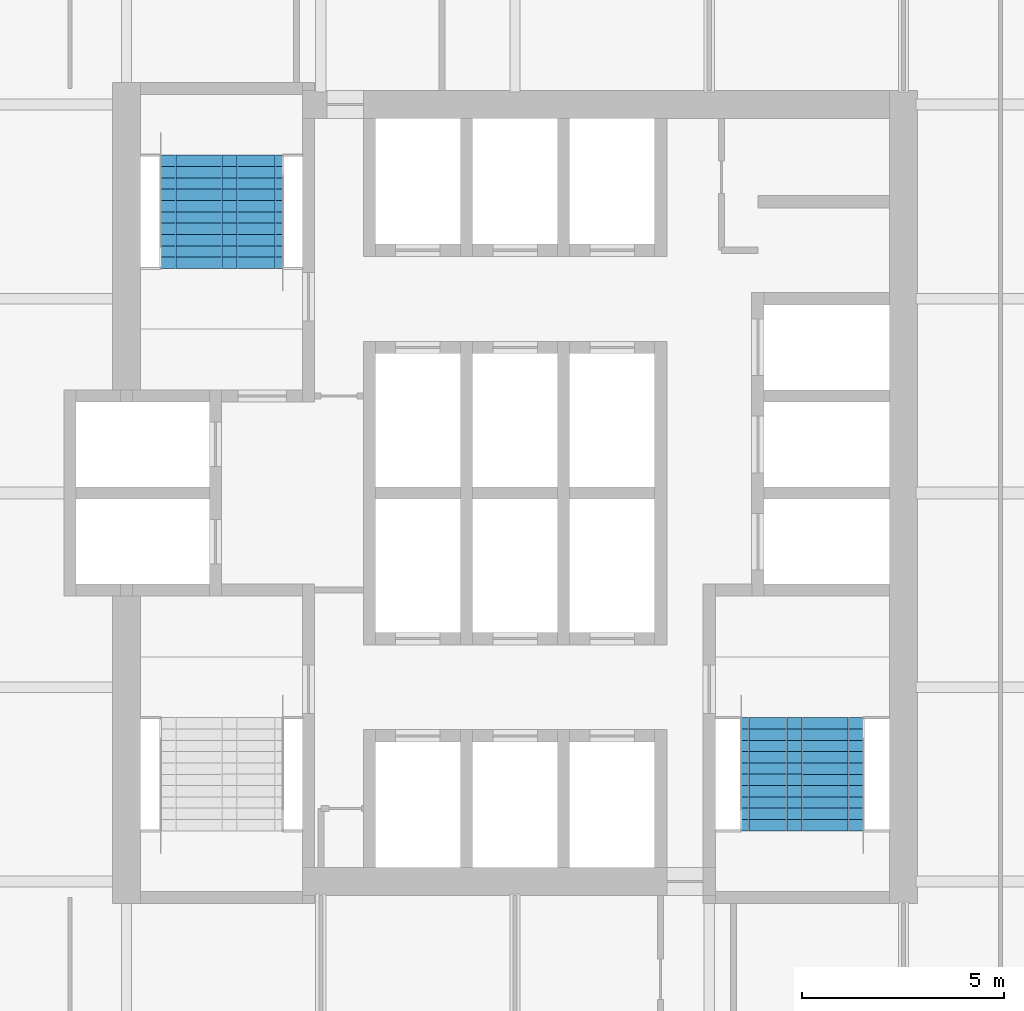
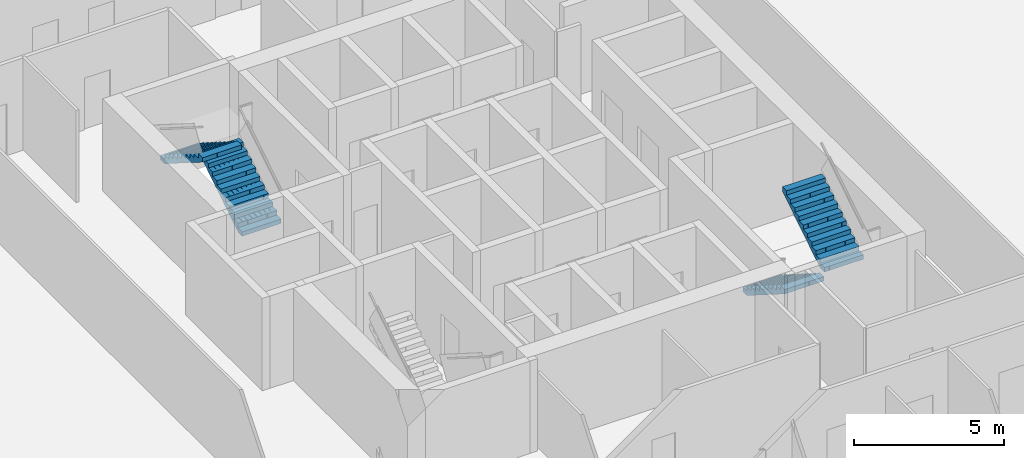
# One storey, part 13 of 15: 4 stair flights, 2 elements without a shape of their own.
"""IFC4 building model written with IfcOpenShell, lengths in metres."""

from ifc_helpers import new_model, si_unit, direction, frame, origin, place, context, subcontext, project, spatial, polyline, outline, extrude, material, type_object, element, aggregate, save


model = new_model("IFC4")

# Units and contexts
model_context = context("Model", 3, precision=1e-05, world=origin(), true_north=direction((0.0, 1.0)))
body_context = subcontext(model_context, "Body", "Model", "MODEL_VIEW")
ifc_project = project(units=[si_unit("LENGTHUNIT", "METRE"), si_unit("AREAUNIT", "SQUARE_METRE"), si_unit("VOLUMEUNIT", "CUBIC_METRE"), si_unit("PLANEANGLEUNIT", "RADIAN"), si_unit("MASSUNIT", "GRAM", prefix="KILO")], contexts=[model_context])

# Site, building, storey
site_placement = place(None, origin())
site = spatial("IfcSite", under=ifc_project, at=site_placement, CompositionType="ELEMENT")
building_placement = place(site_placement, origin())
building = spatial("IfcBuilding", under=site, at=building_placement, Name="Kolab Exchange Tower", CompositionType="ELEMENT")
storey_placement = place(building_placement, frame((0.0, 0.0, 173.89990234375)))
storey = spatial("IfcBuildingStorey", under=building, at=storey_placement, Name="L36", CompositionType="ELEMENT", Elevation=173.89990234375)

# Stair, stair flights
ifc_material = material(Name="Concrete C50/60", Category="concrete")
stair_type_1 = type_object("IfcStairType", Name="STAIR ST1 RISER 177.3", PredefinedType="HALF_TURN_STAIR", material=ifc_material)
stair_1_placement = place(storey_placement, origin())
stair_1 = element("IfcStair", 1, at=stair_1_placement, inside=storey, type_object=stair_type_1, Name="Stair 1", PredefinedType="HALF_TURN_STAIR")
stair_flight_type = type_object("IfcStairFlightType", Name="STAIR FLIGHT 1500 RISER 177.3", PredefinedType="STRAIGHT", material=ifc_material)
stair_flight_1_placement = place(storey_placement, frame((-6.489990234375, 5.550048828125, 0.0), z_axis=(0.0, 0.0, 1.0), x_axis=(0.0, 1.0, 0.0)))
stair_flight_1 = element("IfcStairFlight", 2, at=stair_flight_1_placement, type_object=stair_flight_type, Name="ST1 flight 1", NumberOfRisers=11, NumberOfTreads=10, PredefinedType="STRAIGHT", RiserHeight=0.177272727, TreadLength=0.28, context=body_context, shape_type="SweptSolid", body=[
    extrude(outline(polyline([(0.0, 0.0), (0.0, 0.17724609375), (0.280029296875, 0.17724609375), (0.280029296875, 0.3544921875), (0.56005859375, 0.3544921875), (0.56005859375, 0.53173828125), (0.840087890625, 0.53173828125), (0.840087890625, 0.708984375), (1.1201171875, 0.708984375), (1.1201171875, 0.886474609375), (1.39990234375, 0.886474609375), (1.39990234375, 1.063720703125), (1.679931640625, 1.063720703125), (1.679931640625, 1.240966796875), (1.9599609375, 1.240966796875), (1.9599609375, 1.418212890625), (2.239990234375, 1.418212890625), (2.239990234375, 1.595458984375), (2.52001953125, 1.595458984375), (2.52001953125, 1.772705078125), (2.800048828125, 1.772705078125), (2.800048828125, 1.949951171875), (2.800048828125, 1.59521484375), (0.2802734375, 0.0), (0.0, 0.0)])), frame((0.0, 0.75, 0.0), z_axis=(0.0, -1.0, 0.0), x_axis=(1.0, 0.0, 0.0)), (0.0, 0.0, 1.0), 0.185791015625),
    extrude(outline(polyline([(0.0, 0.0), (0.0, 0.17724609375), (0.280029296875, 0.17724609375), (0.280029296875, 0.3544921875), (0.56005859375, 0.3544921875), (0.56005859375, 0.53173828125), (0.840087890625, 0.53173828125), (0.840087890625, 0.708984375), (1.1201171875, 0.708984375), (1.1201171875, 0.886474609375), (1.39990234375, 0.886474609375), (1.39990234375, 1.063720703125), (1.679931640625, 1.063720703125), (1.679931640625, 1.240966796875), (1.9599609375, 1.240966796875), (1.9599609375, 1.418212890625), (2.239990234375, 1.418212890625), (2.239990234375, 1.595458984375), (2.52001953125, 1.595458984375), (2.52001953125, 1.772705078125), (2.800048828125, 1.772705078125), (2.800048828125, 1.949951171875), (2.800048828125, 1.59521484375), (0.2802734375, 0.0), (0.0, 0.0)])), frame((0.0, 0.562255859375, 0.0), z_axis=(0.0, -1.0, 0.0), x_axis=(1.0, 0.0, 0.0)), (0.0, 0.0, 1.0), 0.185791015625),
    extrude(outline(polyline([(0.0, 0.0), (0.0, 0.17724609375), (0.280029296875, 0.17724609375), (0.280029296875, 0.3544921875), (0.56005859375, 0.3544921875), (0.56005859375, 0.53173828125), (0.840087890625, 0.53173828125), (0.840087890625, 0.708984375), (1.1201171875, 0.708984375), (1.1201171875, 0.886474609375), (1.39990234375, 0.886474609375), (1.39990234375, 1.063720703125), (1.679931640625, 1.063720703125), (1.679931640625, 1.240966796875), (1.9599609375, 1.240966796875), (1.9599609375, 1.418212890625), (2.239990234375, 1.418212890625), (2.239990234375, 1.595458984375), (2.52001953125, 1.595458984375), (2.52001953125, 1.772705078125), (2.800048828125, 1.772705078125), (2.800048828125, 1.949951171875), (2.800048828125, 1.59521484375), (0.2802734375, 0.0), (0.0, 0.0)])), frame((0.0, 0.37451171875, 0.0), z_axis=(0.0, -1.0, 0.0), x_axis=(1.0, 0.0, 0.0)), (0.0, 0.0, 1.0), 0.185791015625),
    extrude(outline(polyline([(0.0, 0.0), (0.0, 0.17724609375), (0.280029296875, 0.17724609375), (0.280029296875, 0.3544921875), (0.56005859375, 0.3544921875), (0.56005859375, 0.53173828125), (0.840087890625, 0.53173828125), (0.840087890625, 0.708984375), (1.1201171875, 0.708984375), (1.1201171875, 0.886474609375), (1.39990234375, 0.886474609375), (1.39990234375, 1.063720703125), (1.679931640625, 1.063720703125), (1.679931640625, 1.240966796875), (1.9599609375, 1.240966796875), (1.9599609375, 1.418212890625), (2.239990234375, 1.418212890625), (2.239990234375, 1.595458984375), (2.52001953125, 1.595458984375), (2.52001953125, 1.772705078125), (2.800048828125, 1.772705078125), (2.800048828125, 1.949951171875), (2.800048828125, 1.59521484375), (0.2802734375, 0.0), (0.0, 0.0)])), frame((0.0, 0.186767578125, 0.0), z_axis=(0.0, -1.0, 0.0), x_axis=(1.0, 0.0, 0.0)), (0.0, 0.0, 1.0), 0.185791015625),
    extrude(outline(polyline([(0.0, 0.0), (0.0, 0.17724609375), (0.280029296875, 0.17724609375), (0.280029296875, 0.3544921875), (0.56005859375, 0.3544921875), (0.56005859375, 0.53173828125), (0.840087890625, 0.53173828125), (0.840087890625, 0.708984375), (1.1201171875, 0.708984375), (1.1201171875, 0.886474609375), (1.39990234375, 0.886474609375), (1.39990234375, 1.063720703125), (1.679931640625, 1.063720703125), (1.679931640625, 1.240966796875), (1.9599609375, 1.240966796875), (1.9599609375, 1.418212890625), (2.239990234375, 1.418212890625), (2.239990234375, 1.595458984375), (2.52001953125, 1.595458984375), (2.52001953125, 1.772705078125), (2.800048828125, 1.772705078125), (2.800048828125, 1.949951171875), (2.800048828125, 1.59521484375), (0.2802734375, 0.0), (0.0, 0.0)])), frame((0.0, -0.0009765625, 0.0), z_axis=(0.0, -1.0, 0.0), x_axis=(1.0, 0.0, 0.0)), (0.0, 0.0, 1.0), 0.185791015625),
    extrude(outline(polyline([(0.0, 0.0), (0.0, 0.17724609375), (0.280029296875, 0.17724609375), (0.280029296875, 0.3544921875), (0.56005859375, 0.3544921875), (0.56005859375, 0.53173828125), (0.840087890625, 0.53173828125), (0.840087890625, 0.708984375), (1.1201171875, 0.708984375), (1.1201171875, 0.886474609375), (1.39990234375, 0.886474609375), (1.39990234375, 1.063720703125), (1.679931640625, 1.063720703125), (1.679931640625, 1.240966796875), (1.9599609375, 1.240966796875), (1.9599609375, 1.418212890625), (2.239990234375, 1.418212890625), (2.239990234375, 1.595458984375), (2.52001953125, 1.595458984375), (2.52001953125, 1.772705078125), (2.800048828125, 1.772705078125), (2.800048828125, 1.949951171875), (2.800048828125, 1.59521484375), (0.2802734375, 0.0), (0.0, 0.0)])), frame((0.0, -0.188720703125, 0.0), z_axis=(0.0, -1.0, 0.0), x_axis=(1.0, 0.0, 0.0)), (0.0, 0.0, 1.0), 0.185791015625),
    extrude(outline(polyline([(0.0, 0.0), (0.0, 0.17724609375), (0.280029296875, 0.17724609375), (0.280029296875, 0.3544921875), (0.56005859375, 0.3544921875), (0.56005859375, 0.53173828125), (0.840087890625, 0.53173828125), (0.840087890625, 0.708984375), (1.1201171875, 0.708984375), (1.1201171875, 0.886474609375), (1.39990234375, 0.886474609375), (1.39990234375, 1.063720703125), (1.679931640625, 1.063720703125), (1.679931640625, 1.240966796875), (1.9599609375, 1.240966796875), (1.9599609375, 1.418212890625), (2.239990234375, 1.418212890625), (2.239990234375, 1.595458984375), (2.52001953125, 1.595458984375), (2.52001953125, 1.772705078125), (2.800048828125, 1.772705078125), (2.800048828125, 1.949951171875), (2.800048828125, 1.59521484375), (0.2802734375, 0.0), (0.0, 0.0)])), frame((0.0, -0.37646484375, 0.0), z_axis=(0.0, -1.0, 0.0), x_axis=(1.0, 0.0, 0.0)), (0.0, 0.0, 1.0), 0.185791015625),
    extrude(outline(polyline([(0.0, 0.0), (0.0, 0.17724609375), (0.280029296875, 0.17724609375), (0.280029296875, 0.3544921875), (0.56005859375, 0.3544921875), (0.56005859375, 0.53173828125), (0.840087890625, 0.53173828125), (0.840087890625, 0.708984375), (1.1201171875, 0.708984375), (1.1201171875, 0.886474609375), (1.39990234375, 0.886474609375), (1.39990234375, 1.063720703125), (1.679931640625, 1.063720703125), (1.679931640625, 1.240966796875), (1.9599609375, 1.240966796875), (1.9599609375, 1.418212890625), (2.239990234375, 1.418212890625), (2.239990234375, 1.595458984375), (2.52001953125, 1.595458984375), (2.52001953125, 1.772705078125), (2.800048828125, 1.772705078125), (2.800048828125, 1.949951171875), (2.800048828125, 1.59521484375), (0.2802734375, 0.0), (0.0, 0.0)])), frame((0.0, -0.564208984375, 0.0), z_axis=(0.0, -1.0, 0.0), x_axis=(1.0, 0.0, 0.0)), (0.0, 0.0, 1.0), 0.185791015625),
])
stair_flight_2_placement = place(storey_placement, frame((-8.010009765625, 8.35009765625, 1.9501953125), z_axis=(0.0, 0.0, 1.0), x_axis=(0.0, -1.0, 0.0)))
stair_flight_2 = element("IfcStairFlight", 3, at=stair_flight_2_placement, type_object=stair_flight_type, Name="ST1 flight 2", NumberOfRisers=11, NumberOfTreads=10, PredefinedType="STRAIGHT", RiserHeight=0.177272727, TreadLength=0.28, context=body_context, shape_type="SweptSolid", body=[
    extrude(outline(polyline([(0.0, 0.0), (0.0, 0.17724609375), (0.280029296875, 0.17724609375), (0.280029296875, 0.3544921875), (0.56005859375, 0.3544921875), (0.56005859375, 0.53173828125), (0.840087890625, 0.53173828125), (0.840087890625, 0.708984375), (1.1201171875, 0.708984375), (1.1201171875, 0.886474609375), (1.39990234375, 0.886474609375), (1.39990234375, 1.063720703125), (1.679931640625, 1.063720703125), (1.679931640625, 1.240966796875), (1.9599609375, 1.240966796875), (1.9599609375, 1.418212890625), (2.239990234375, 1.418212890625), (2.239990234375, 1.595458984375), (2.52001953125, 1.595458984375), (2.52001953125, 1.772705078125), (2.800048828125, 1.772705078125), (2.800048828125, 1.949951171875), (2.800048828125, 1.59521484375), (0.2802734375, 0.0), (0.0, 0.0)])), frame((0.0, 0.75, 0.0), z_axis=(0.0, -1.0, 0.0), x_axis=(1.0, 0.0, 0.0)), (0.0, 0.0, 1.0), 0.185791015625),
    extrude(outline(polyline([(0.0, 0.0), (0.0, 0.17724609375), (0.280029296875, 0.17724609375), (0.280029296875, 0.3544921875), (0.56005859375, 0.3544921875), (0.56005859375, 0.53173828125), (0.840087890625, 0.53173828125), (0.840087890625, 0.708984375), (1.1201171875, 0.708984375), (1.1201171875, 0.886474609375), (1.39990234375, 0.886474609375), (1.39990234375, 1.063720703125), (1.679931640625, 1.063720703125), (1.679931640625, 1.240966796875), (1.9599609375, 1.240966796875), (1.9599609375, 1.418212890625), (2.239990234375, 1.418212890625), (2.239990234375, 1.595458984375), (2.52001953125, 1.595458984375), (2.52001953125, 1.772705078125), (2.800048828125, 1.772705078125), (2.800048828125, 1.949951171875), (2.800048828125, 1.59521484375), (0.2802734375, 0.0), (0.0, 0.0)])), frame((0.0, 0.562255859375, 0.0), z_axis=(0.0, -1.0, 0.0), x_axis=(1.0, 0.0, 0.0)), (0.0, 0.0, 1.0), 0.185791015625),
    extrude(outline(polyline([(0.0, 0.0), (0.0, 0.17724609375), (0.280029296875, 0.17724609375), (0.280029296875, 0.3544921875), (0.56005859375, 0.3544921875), (0.56005859375, 0.53173828125), (0.840087890625, 0.53173828125), (0.840087890625, 0.708984375), (1.1201171875, 0.708984375), (1.1201171875, 0.886474609375), (1.39990234375, 0.886474609375), (1.39990234375, 1.063720703125), (1.679931640625, 1.063720703125), (1.679931640625, 1.240966796875), (1.9599609375, 1.240966796875), (1.9599609375, 1.418212890625), (2.239990234375, 1.418212890625), (2.239990234375, 1.595458984375), (2.52001953125, 1.595458984375), (2.52001953125, 1.772705078125), (2.800048828125, 1.772705078125), (2.800048828125, 1.949951171875), (2.800048828125, 1.59521484375), (0.2802734375, 0.0), (0.0, 0.0)])), frame((0.0, 0.37451171875, 0.0), z_axis=(0.0, -1.0, 0.0), x_axis=(1.0, 0.0, 0.0)), (0.0, 0.0, 1.0), 0.185791015625),
    extrude(outline(polyline([(0.0, 0.0), (0.0, 0.17724609375), (0.280029296875, 0.17724609375), (0.280029296875, 0.3544921875), (0.56005859375, 0.3544921875), (0.56005859375, 0.53173828125), (0.840087890625, 0.53173828125), (0.840087890625, 0.708984375), (1.1201171875, 0.708984375), (1.1201171875, 0.886474609375), (1.39990234375, 0.886474609375), (1.39990234375, 1.063720703125), (1.679931640625, 1.063720703125), (1.679931640625, 1.240966796875), (1.9599609375, 1.240966796875), (1.9599609375, 1.418212890625), (2.239990234375, 1.418212890625), (2.239990234375, 1.595458984375), (2.52001953125, 1.595458984375), (2.52001953125, 1.772705078125), (2.800048828125, 1.772705078125), (2.800048828125, 1.949951171875), (2.800048828125, 1.59521484375), (0.2802734375, 0.0), (0.0, 0.0)])), frame((0.0, 0.186767578125, 0.0), z_axis=(0.0, -1.0, 0.0), x_axis=(1.0, 0.0, 0.0)), (0.0, 0.0, 1.0), 0.185791015625),
    extrude(outline(polyline([(0.0, 0.0), (0.0, 0.17724609375), (0.280029296875, 0.17724609375), (0.280029296875, 0.3544921875), (0.56005859375, 0.3544921875), (0.56005859375, 0.53173828125), (0.840087890625, 0.53173828125), (0.840087890625, 0.708984375), (1.1201171875, 0.708984375), (1.1201171875, 0.886474609375), (1.39990234375, 0.886474609375), (1.39990234375, 1.063720703125), (1.679931640625, 1.063720703125), (1.679931640625, 1.240966796875), (1.9599609375, 1.240966796875), (1.9599609375, 1.418212890625), (2.239990234375, 1.418212890625), (2.239990234375, 1.595458984375), (2.52001953125, 1.595458984375), (2.52001953125, 1.772705078125), (2.800048828125, 1.772705078125), (2.800048828125, 1.949951171875), (2.800048828125, 1.59521484375), (0.2802734375, 0.0), (0.0, 0.0)])), frame((0.0, -0.0009765625, 0.0), z_axis=(0.0, -1.0, 0.0), x_axis=(1.0, 0.0, 0.0)), (0.0, 0.0, 1.0), 0.185791015625),
    extrude(outline(polyline([(0.0, 0.0), (0.0, 0.17724609375), (0.280029296875, 0.17724609375), (0.280029296875, 0.3544921875), (0.56005859375, 0.3544921875), (0.56005859375, 0.53173828125), (0.840087890625, 0.53173828125), (0.840087890625, 0.708984375), (1.1201171875, 0.708984375), (1.1201171875, 0.886474609375), (1.39990234375, 0.886474609375), (1.39990234375, 1.063720703125), (1.679931640625, 1.063720703125), (1.679931640625, 1.240966796875), (1.9599609375, 1.240966796875), (1.9599609375, 1.418212890625), (2.239990234375, 1.418212890625), (2.239990234375, 1.595458984375), (2.52001953125, 1.595458984375), (2.52001953125, 1.772705078125), (2.800048828125, 1.772705078125), (2.800048828125, 1.949951171875), (2.800048828125, 1.59521484375), (0.2802734375, 0.0), (0.0, 0.0)])), frame((0.0, -0.188720703125, 0.0), z_axis=(0.0, -1.0, 0.0), x_axis=(1.0, 0.0, 0.0)), (0.0, 0.0, 1.0), 0.185791015625),
    extrude(outline(polyline([(0.0, 0.0), (0.0, 0.17724609375), (0.280029296875, 0.17724609375), (0.280029296875, 0.3544921875), (0.56005859375, 0.3544921875), (0.56005859375, 0.53173828125), (0.840087890625, 0.53173828125), (0.840087890625, 0.708984375), (1.1201171875, 0.708984375), (1.1201171875, 0.886474609375), (1.39990234375, 0.886474609375), (1.39990234375, 1.063720703125), (1.679931640625, 1.063720703125), (1.679931640625, 1.240966796875), (1.9599609375, 1.240966796875), (1.9599609375, 1.418212890625), (2.239990234375, 1.418212890625), (2.239990234375, 1.595458984375), (2.52001953125, 1.595458984375), (2.52001953125, 1.772705078125), (2.800048828125, 1.772705078125), (2.800048828125, 1.949951171875), (2.800048828125, 1.59521484375), (0.2802734375, 0.0), (0.0, 0.0)])), frame((0.0, -0.37646484375, 0.0), z_axis=(0.0, -1.0, 0.0), x_axis=(1.0, 0.0, 0.0)), (0.0, 0.0, 1.0), 0.185791015625),
    extrude(outline(polyline([(0.0, 0.0), (0.0, 0.17724609375), (0.280029296875, 0.17724609375), (0.280029296875, 0.3544921875), (0.56005859375, 0.3544921875), (0.56005859375, 0.53173828125), (0.840087890625, 0.53173828125), (0.840087890625, 0.708984375), (1.1201171875, 0.708984375), (1.1201171875, 0.886474609375), (1.39990234375, 0.886474609375), (1.39990234375, 1.063720703125), (1.679931640625, 1.063720703125), (1.679931640625, 1.240966796875), (1.9599609375, 1.240966796875), (1.9599609375, 1.418212890625), (2.239990234375, 1.418212890625), (2.239990234375, 1.595458984375), (2.52001953125, 1.595458984375), (2.52001953125, 1.772705078125), (2.800048828125, 1.772705078125), (2.800048828125, 1.949951171875), (2.800048828125, 1.59521484375), (0.2802734375, 0.0), (0.0, 0.0)])), frame((0.0, -0.564208984375, 0.0), z_axis=(0.0, -1.0, 0.0), x_axis=(1.0, 0.0, 0.0)), (0.0, 0.0, 1.0), 0.185791015625),
])
aggregate(stair_1, [stair_flight_1, stair_flight_2])

stair_type_2 = type_object("IfcStairType", Name="STAIR ST2 RISER 177.3", PredefinedType="HALF_TURN_STAIR", material=ifc_material)
stair_2_placement = place(storey_placement, origin())
stair_2 = element("IfcStair", 4, at=stair_2_placement, inside=storey, type_object=stair_type_2, Name="Stair 2", PredefinedType="HALF_TURN_STAIR")
stair_flight_3_placement = place(storey_placement, frame((6.340087890625, -5.550048828125, 0.0), z_axis=(0.0, 0.0, 1.0), x_axis=(0.0, -1.0, 0.0)))
stair_flight_3 = element("IfcStairFlight", 5, at=stair_flight_3_placement, type_object=stair_flight_type, Name="ST2 flight 1", NumberOfRisers=11, NumberOfTreads=10, PredefinedType="STRAIGHT", RiserHeight=0.177272727, TreadLength=0.28, context=body_context, shape_type="SweptSolid", body=[
    extrude(outline(polyline([(0.0, 0.0), (0.0, 0.17724609375), (0.280029296875, 0.17724609375), (0.280029296875, 0.3544921875), (0.56005859375, 0.3544921875), (0.56005859375, 0.53173828125), (0.840087890625, 0.53173828125), (0.840087890625, 0.708984375), (1.1201171875, 0.708984375), (1.1201171875, 0.886474609375), (1.39990234375, 0.886474609375), (1.39990234375, 1.063720703125), (1.679931640625, 1.063720703125), (1.679931640625, 1.240966796875), (1.9599609375, 1.240966796875), (1.9599609375, 1.418212890625), (2.239990234375, 1.418212890625), (2.239990234375, 1.595458984375), (2.52001953125, 1.595458984375), (2.52001953125, 1.772705078125), (2.800048828125, 1.772705078125), (2.800048828125, 1.949951171875), (2.800048828125, 1.59521484375), (0.2802734375, 0.0), (0.0, 0.0)])), frame((0.0, 0.75, 0.0), z_axis=(0.0, -1.0, 0.0), x_axis=(1.0, 0.0, 0.0)), (0.0, 0.0, 1.0), 0.185791015625),
    extrude(outline(polyline([(0.0, 0.0), (0.0, 0.17724609375), (0.280029296875, 0.17724609375), (0.280029296875, 0.3544921875), (0.56005859375, 0.3544921875), (0.56005859375, 0.53173828125), (0.840087890625, 0.53173828125), (0.840087890625, 0.708984375), (1.1201171875, 0.708984375), (1.1201171875, 0.886474609375), (1.39990234375, 0.886474609375), (1.39990234375, 1.063720703125), (1.679931640625, 1.063720703125), (1.679931640625, 1.240966796875), (1.9599609375, 1.240966796875), (1.9599609375, 1.418212890625), (2.239990234375, 1.418212890625), (2.239990234375, 1.595458984375), (2.52001953125, 1.595458984375), (2.52001953125, 1.772705078125), (2.800048828125, 1.772705078125), (2.800048828125, 1.949951171875), (2.800048828125, 1.59521484375), (0.2802734375, 0.0), (0.0, 0.0)])), frame((0.0, 0.562255859375, 0.0), z_axis=(0.0, -1.0, 0.0), x_axis=(1.0, 0.0, 0.0)), (0.0, 0.0, 1.0), 0.185791015625),
    extrude(outline(polyline([(0.0, 0.0), (0.0, 0.17724609375), (0.280029296875, 0.17724609375), (0.280029296875, 0.3544921875), (0.56005859375, 0.3544921875), (0.56005859375, 0.53173828125), (0.840087890625, 0.53173828125), (0.840087890625, 0.708984375), (1.1201171875, 0.708984375), (1.1201171875, 0.886474609375), (1.39990234375, 0.886474609375), (1.39990234375, 1.063720703125), (1.679931640625, 1.063720703125), (1.679931640625, 1.240966796875), (1.9599609375, 1.240966796875), (1.9599609375, 1.418212890625), (2.239990234375, 1.418212890625), (2.239990234375, 1.595458984375), (2.52001953125, 1.595458984375), (2.52001953125, 1.772705078125), (2.800048828125, 1.772705078125), (2.800048828125, 1.949951171875), (2.800048828125, 1.59521484375), (0.2802734375, 0.0), (0.0, 0.0)])), frame((0.0, 0.37451171875, 0.0), z_axis=(0.0, -1.0, 0.0), x_axis=(1.0, 0.0, 0.0)), (0.0, 0.0, 1.0), 0.185791015625),
    extrude(outline(polyline([(0.0, 0.0), (0.0, 0.17724609375), (0.280029296875, 0.17724609375), (0.280029296875, 0.3544921875), (0.56005859375, 0.3544921875), (0.56005859375, 0.53173828125), (0.840087890625, 0.53173828125), (0.840087890625, 0.708984375), (1.1201171875, 0.708984375), (1.1201171875, 0.886474609375), (1.39990234375, 0.886474609375), (1.39990234375, 1.063720703125), (1.679931640625, 1.063720703125), (1.679931640625, 1.240966796875), (1.9599609375, 1.240966796875), (1.9599609375, 1.418212890625), (2.239990234375, 1.418212890625), (2.239990234375, 1.595458984375), (2.52001953125, 1.595458984375), (2.52001953125, 1.772705078125), (2.800048828125, 1.772705078125), (2.800048828125, 1.949951171875), (2.800048828125, 1.59521484375), (0.2802734375, 0.0), (0.0, 0.0)])), frame((0.0, 0.186767578125, 0.0), z_axis=(0.0, -1.0, 0.0), x_axis=(1.0, 0.0, 0.0)), (0.0, 0.0, 1.0), 0.185791015625),
    extrude(outline(polyline([(0.0, 0.0), (0.0, 0.17724609375), (0.280029296875, 0.17724609375), (0.280029296875, 0.3544921875), (0.56005859375, 0.3544921875), (0.56005859375, 0.53173828125), (0.840087890625, 0.53173828125), (0.840087890625, 0.708984375), (1.1201171875, 0.708984375), (1.1201171875, 0.886474609375), (1.39990234375, 0.886474609375), (1.39990234375, 1.063720703125), (1.679931640625, 1.063720703125), (1.679931640625, 1.240966796875), (1.9599609375, 1.240966796875), (1.9599609375, 1.418212890625), (2.239990234375, 1.418212890625), (2.239990234375, 1.595458984375), (2.52001953125, 1.595458984375), (2.52001953125, 1.772705078125), (2.800048828125, 1.772705078125), (2.800048828125, 1.949951171875), (2.800048828125, 1.59521484375), (0.2802734375, 0.0), (0.0, 0.0)])), frame((0.0, -0.0009765625, 0.0), z_axis=(0.0, -1.0, 0.0), x_axis=(1.0, 0.0, 0.0)), (0.0, 0.0, 1.0), 0.185791015625),
    extrude(outline(polyline([(0.0, 0.0), (0.0, 0.17724609375), (0.280029296875, 0.17724609375), (0.280029296875, 0.3544921875), (0.56005859375, 0.3544921875), (0.56005859375, 0.53173828125), (0.840087890625, 0.53173828125), (0.840087890625, 0.708984375), (1.1201171875, 0.708984375), (1.1201171875, 0.886474609375), (1.39990234375, 0.886474609375), (1.39990234375, 1.063720703125), (1.679931640625, 1.063720703125), (1.679931640625, 1.240966796875), (1.9599609375, 1.240966796875), (1.9599609375, 1.418212890625), (2.239990234375, 1.418212890625), (2.239990234375, 1.595458984375), (2.52001953125, 1.595458984375), (2.52001953125, 1.772705078125), (2.800048828125, 1.772705078125), (2.800048828125, 1.949951171875), (2.800048828125, 1.59521484375), (0.2802734375, 0.0), (0.0, 0.0)])), frame((0.0, -0.188720703125, 0.0), z_axis=(0.0, -1.0, 0.0), x_axis=(1.0, 0.0, 0.0)), (0.0, 0.0, 1.0), 0.185791015625),
    extrude(outline(polyline([(0.0, 0.0), (0.0, 0.17724609375), (0.280029296875, 0.17724609375), (0.280029296875, 0.3544921875), (0.56005859375, 0.3544921875), (0.56005859375, 0.53173828125), (0.840087890625, 0.53173828125), (0.840087890625, 0.708984375), (1.1201171875, 0.708984375), (1.1201171875, 0.886474609375), (1.39990234375, 0.886474609375), (1.39990234375, 1.063720703125), (1.679931640625, 1.063720703125), (1.679931640625, 1.240966796875), (1.9599609375, 1.240966796875), (1.9599609375, 1.418212890625), (2.239990234375, 1.418212890625), (2.239990234375, 1.595458984375), (2.52001953125, 1.595458984375), (2.52001953125, 1.772705078125), (2.800048828125, 1.772705078125), (2.800048828125, 1.949951171875), (2.800048828125, 1.59521484375), (0.2802734375, 0.0), (0.0, 0.0)])), frame((0.0, -0.37646484375, 0.0), z_axis=(0.0, -1.0, 0.0), x_axis=(1.0, 0.0, 0.0)), (0.0, 0.0, 1.0), 0.185791015625),
    extrude(outline(polyline([(0.0, 0.0), (0.0, 0.17724609375), (0.280029296875, 0.17724609375), (0.280029296875, 0.3544921875), (0.56005859375, 0.3544921875), (0.56005859375, 0.53173828125), (0.840087890625, 0.53173828125), (0.840087890625, 0.708984375), (1.1201171875, 0.708984375), (1.1201171875, 0.886474609375), (1.39990234375, 0.886474609375), (1.39990234375, 1.063720703125), (1.679931640625, 1.063720703125), (1.679931640625, 1.240966796875), (1.9599609375, 1.240966796875), (1.9599609375, 1.418212890625), (2.239990234375, 1.418212890625), (2.239990234375, 1.595458984375), (2.52001953125, 1.595458984375), (2.52001953125, 1.772705078125), (2.800048828125, 1.772705078125), (2.800048828125, 1.949951171875), (2.800048828125, 1.59521484375), (0.2802734375, 0.0), (0.0, 0.0)])), frame((0.0, -0.564208984375, 0.0), z_axis=(0.0, -1.0, 0.0), x_axis=(1.0, 0.0, 0.0)), (0.0, 0.0, 1.0), 0.185791015625),
])
stair_flight_4_placement = place(storey_placement, frame((7.860107421875, -8.35009765625, 1.9501953125), z_axis=(0.0, 0.0, 1.0), x_axis=(0.0, 1.0, 0.0)))
stair_flight_4 = element("IfcStairFlight", 6, at=stair_flight_4_placement, type_object=stair_flight_type, Name="ST2 flight 2", NumberOfRisers=11, NumberOfTreads=10, PredefinedType="STRAIGHT", RiserHeight=0.177272727, TreadLength=0.28, context=body_context, shape_type="SweptSolid", body=[
    extrude(outline(polyline([(0.0, 0.0), (0.0, 0.17724609375), (0.280029296875, 0.17724609375), (0.280029296875, 0.3544921875), (0.56005859375, 0.3544921875), (0.56005859375, 0.53173828125), (0.840087890625, 0.53173828125), (0.840087890625, 0.708984375), (1.1201171875, 0.708984375), (1.1201171875, 0.886474609375), (1.39990234375, 0.886474609375), (1.39990234375, 1.063720703125), (1.679931640625, 1.063720703125), (1.679931640625, 1.240966796875), (1.9599609375, 1.240966796875), (1.9599609375, 1.418212890625), (2.239990234375, 1.418212890625), (2.239990234375, 1.595458984375), (2.52001953125, 1.595458984375), (2.52001953125, 1.772705078125), (2.800048828125, 1.772705078125), (2.800048828125, 1.949951171875), (2.800048828125, 1.59521484375), (0.2802734375, 0.0), (0.0, 0.0)])), frame((0.0, 0.75, 0.0), z_axis=(0.0, -1.0, 0.0), x_axis=(1.0, 0.0, 0.0)), (0.0, 0.0, 1.0), 0.185791015625),
    extrude(outline(polyline([(0.0, 0.0), (0.0, 0.17724609375), (0.280029296875, 0.17724609375), (0.280029296875, 0.3544921875), (0.56005859375, 0.3544921875), (0.56005859375, 0.53173828125), (0.840087890625, 0.53173828125), (0.840087890625, 0.708984375), (1.1201171875, 0.708984375), (1.1201171875, 0.886474609375), (1.39990234375, 0.886474609375), (1.39990234375, 1.063720703125), (1.679931640625, 1.063720703125), (1.679931640625, 1.240966796875), (1.9599609375, 1.240966796875), (1.9599609375, 1.418212890625), (2.239990234375, 1.418212890625), (2.239990234375, 1.595458984375), (2.52001953125, 1.595458984375), (2.52001953125, 1.772705078125), (2.800048828125, 1.772705078125), (2.800048828125, 1.949951171875), (2.800048828125, 1.59521484375), (0.2802734375, 0.0), (0.0, 0.0)])), frame((0.0, 0.562255859375, 0.0), z_axis=(0.0, -1.0, 0.0), x_axis=(1.0, 0.0, 0.0)), (0.0, 0.0, 1.0), 0.185791015625),
    extrude(outline(polyline([(0.0, 0.0), (0.0, 0.17724609375), (0.280029296875, 0.17724609375), (0.280029296875, 0.3544921875), (0.56005859375, 0.3544921875), (0.56005859375, 0.53173828125), (0.840087890625, 0.53173828125), (0.840087890625, 0.708984375), (1.1201171875, 0.708984375), (1.1201171875, 0.886474609375), (1.39990234375, 0.886474609375), (1.39990234375, 1.063720703125), (1.679931640625, 1.063720703125), (1.679931640625, 1.240966796875), (1.9599609375, 1.240966796875), (1.9599609375, 1.418212890625), (2.239990234375, 1.418212890625), (2.239990234375, 1.595458984375), (2.52001953125, 1.595458984375), (2.52001953125, 1.772705078125), (2.800048828125, 1.772705078125), (2.800048828125, 1.949951171875), (2.800048828125, 1.59521484375), (0.2802734375, 0.0), (0.0, 0.0)])), frame((0.0, 0.37451171875, 0.0), z_axis=(0.0, -1.0, 0.0), x_axis=(1.0, 0.0, 0.0)), (0.0, 0.0, 1.0), 0.185791015625),
    extrude(outline(polyline([(0.0, 0.0), (0.0, 0.17724609375), (0.280029296875, 0.17724609375), (0.280029296875, 0.3544921875), (0.56005859375, 0.3544921875), (0.56005859375, 0.53173828125), (0.840087890625, 0.53173828125), (0.840087890625, 0.708984375), (1.1201171875, 0.708984375), (1.1201171875, 0.886474609375), (1.39990234375, 0.886474609375), (1.39990234375, 1.063720703125), (1.679931640625, 1.063720703125), (1.679931640625, 1.240966796875), (1.9599609375, 1.240966796875), (1.9599609375, 1.418212890625), (2.239990234375, 1.418212890625), (2.239990234375, 1.595458984375), (2.52001953125, 1.595458984375), (2.52001953125, 1.772705078125), (2.800048828125, 1.772705078125), (2.800048828125, 1.949951171875), (2.800048828125, 1.59521484375), (0.2802734375, 0.0), (0.0, 0.0)])), frame((0.0, 0.186767578125, 0.0), z_axis=(0.0, -1.0, 0.0), x_axis=(1.0, 0.0, 0.0)), (0.0, 0.0, 1.0), 0.185791015625),
    extrude(outline(polyline([(0.0, 0.0), (0.0, 0.17724609375), (0.280029296875, 0.17724609375), (0.280029296875, 0.3544921875), (0.56005859375, 0.3544921875), (0.56005859375, 0.53173828125), (0.840087890625, 0.53173828125), (0.840087890625, 0.708984375), (1.1201171875, 0.708984375), (1.1201171875, 0.886474609375), (1.39990234375, 0.886474609375), (1.39990234375, 1.063720703125), (1.679931640625, 1.063720703125), (1.679931640625, 1.240966796875), (1.9599609375, 1.240966796875), (1.9599609375, 1.418212890625), (2.239990234375, 1.418212890625), (2.239990234375, 1.595458984375), (2.52001953125, 1.595458984375), (2.52001953125, 1.772705078125), (2.800048828125, 1.772705078125), (2.800048828125, 1.949951171875), (2.800048828125, 1.59521484375), (0.2802734375, 0.0), (0.0, 0.0)])), frame((0.0, -0.0009765625, 0.0), z_axis=(0.0, -1.0, 0.0), x_axis=(1.0, 0.0, 0.0)), (0.0, 0.0, 1.0), 0.185791015625),
    extrude(outline(polyline([(0.0, 0.0), (0.0, 0.17724609375), (0.280029296875, 0.17724609375), (0.280029296875, 0.3544921875), (0.56005859375, 0.3544921875), (0.56005859375, 0.53173828125), (0.840087890625, 0.53173828125), (0.840087890625, 0.708984375), (1.1201171875, 0.708984375), (1.1201171875, 0.886474609375), (1.39990234375, 0.886474609375), (1.39990234375, 1.063720703125), (1.679931640625, 1.063720703125), (1.679931640625, 1.240966796875), (1.9599609375, 1.240966796875), (1.9599609375, 1.418212890625), (2.239990234375, 1.418212890625), (2.239990234375, 1.595458984375), (2.52001953125, 1.595458984375), (2.52001953125, 1.772705078125), (2.800048828125, 1.772705078125), (2.800048828125, 1.949951171875), (2.800048828125, 1.59521484375), (0.2802734375, 0.0), (0.0, 0.0)])), frame((0.0, -0.188720703125, 0.0), z_axis=(0.0, -1.0, 0.0), x_axis=(1.0, 0.0, 0.0)), (0.0, 0.0, 1.0), 0.185791015625),
    extrude(outline(polyline([(0.0, 0.0), (0.0, 0.17724609375), (0.280029296875, 0.17724609375), (0.280029296875, 0.3544921875), (0.56005859375, 0.3544921875), (0.56005859375, 0.53173828125), (0.840087890625, 0.53173828125), (0.840087890625, 0.708984375), (1.1201171875, 0.708984375), (1.1201171875, 0.886474609375), (1.39990234375, 0.886474609375), (1.39990234375, 1.063720703125), (1.679931640625, 1.063720703125), (1.679931640625, 1.240966796875), (1.9599609375, 1.240966796875), (1.9599609375, 1.418212890625), (2.239990234375, 1.418212890625), (2.239990234375, 1.595458984375), (2.52001953125, 1.595458984375), (2.52001953125, 1.772705078125), (2.800048828125, 1.772705078125), (2.800048828125, 1.949951171875), (2.800048828125, 1.59521484375), (0.2802734375, 0.0), (0.0, 0.0)])), frame((0.0, -0.37646484375, 0.0), z_axis=(0.0, -1.0, 0.0), x_axis=(1.0, 0.0, 0.0)), (0.0, 0.0, 1.0), 0.185791015625),
    extrude(outline(polyline([(0.0, 0.0), (0.0, 0.17724609375), (0.280029296875, 0.17724609375), (0.280029296875, 0.3544921875), (0.56005859375, 0.3544921875), (0.56005859375, 0.53173828125), (0.840087890625, 0.53173828125), (0.840087890625, 0.708984375), (1.1201171875, 0.708984375), (1.1201171875, 0.886474609375), (1.39990234375, 0.886474609375), (1.39990234375, 1.063720703125), (1.679931640625, 1.063720703125), (1.679931640625, 1.240966796875), (1.9599609375, 1.240966796875), (1.9599609375, 1.418212890625), (2.239990234375, 1.418212890625), (2.239990234375, 1.595458984375), (2.52001953125, 1.595458984375), (2.52001953125, 1.772705078125), (2.800048828125, 1.772705078125), (2.800048828125, 1.949951171875), (2.800048828125, 1.59521484375), (0.2802734375, 0.0), (0.0, 0.0)])), frame((0.0, -0.564208984375, 0.0), z_axis=(0.0, -1.0, 0.0), x_axis=(1.0, 0.0, 0.0)), (0.0, 0.0, 1.0), 0.185791015625),
])
aggregate(stair_2, [stair_flight_3, stair_flight_4])

save(model, "model.ifc")
